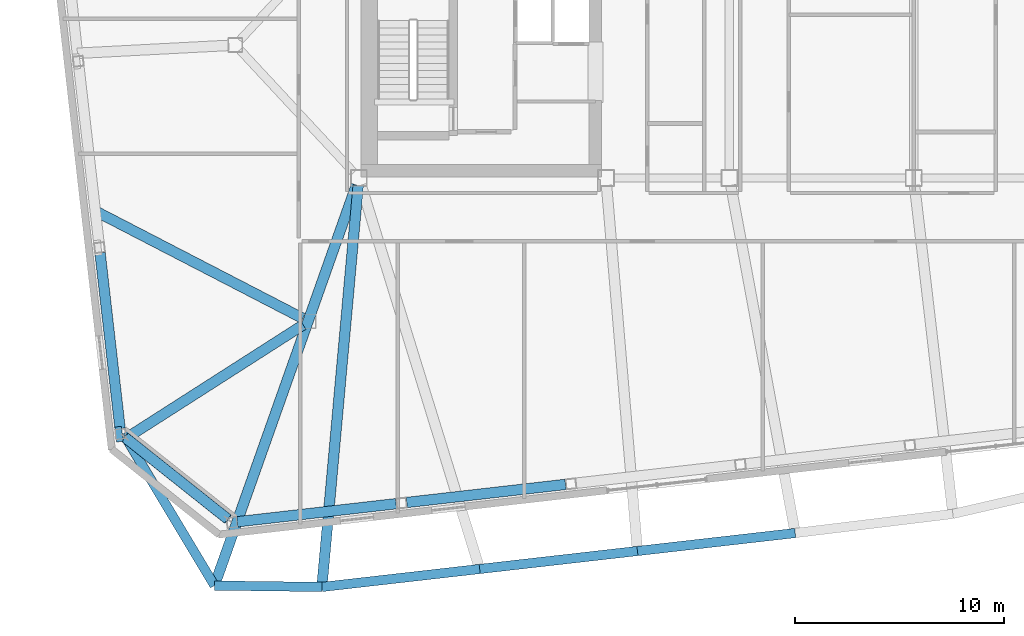
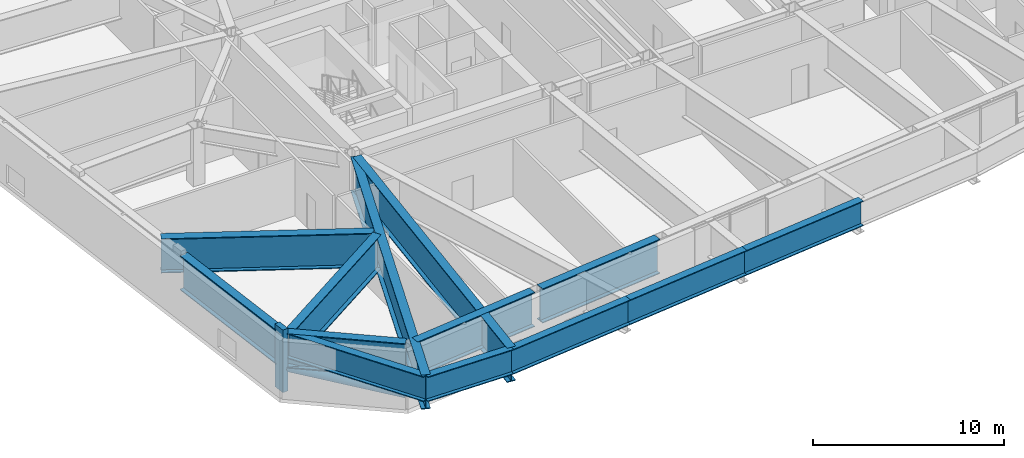
# One storey, part 3 of 18: 13 beams, 2 members.
"""IFC4 building model written with IfcOpenShell, lengths in metres."""

import ifcopenshell
import ifcopenshell.guid

model = None  # the IFC model being written
_history = None  # IfcOwnerHistory: only IFC2X3 demands one
_inside = {}  # id of a spatial element -> (the spatial element, [elements in it])
_under = {}  # id of a project, library or spatial element -> (it, [spatial elements below it])
_declared = {}  # id of a project -> (the project, [libraries it declares])
_typed = {}  # id of a type object -> (the type object, [elements of that type])
_made_of = {}  # id of a material, layer set ... -> (it, [elements and type objects made of it])


def new_model(schema):
    """Start an empty IFC model of exactly this schema.

    Asked for "IFC4X3", IfcOpenShell would pick the latest addendum, in which some entities
    have other attributes; the version numbers below select the first issue.
    IFC2X3 requires an IfcOwnerHistory on every rooted entity: one is made here for all.
    """
    global model, _history
    if schema == "IFC4X3":
        model = ifcopenshell.file(schema_version=(4, 3, 0, 0))
    else:
        model = ifcopenshell.file(schema=schema)
    _inside.clear()
    _under.clear()
    _declared.clear()
    _typed.clear()
    _made_of.clear()
    _history = None
    if model.schema == "IFC2X3":
        org = make("IfcOrganization", Name="unknown")
        user = make(
            "IfcPersonAndOrganization",
            ThePerson=make("IfcPerson", FamilyName="unknown"),
            TheOrganization=org,
        )
        app = make(
            "IfcApplication",
            ApplicationDeveloper=org,
            Version="unknown",
            ApplicationFullName="unknown",
            ApplicationIdentifier="unknown",
        )
        _history = make(
            "IfcOwnerHistory",
            OwningUser=user,
            OwningApplication=app,
            ChangeAction="ADDED",
            CreationDate=0,
        )
    return model


def make(cls, **values):
    """One entity of the class cls with the attributes given. An attribute that is None is left unset."""
    return model.create_entity(
        cls, **{name: value for name, value in values.items() if value is not None}
    )


def rooted(cls, **values):
    """An entity with a GlobalId (a new one), such as an element, a storey or a relation."""
    return make(cls, GlobalId=ifcopenshell.guid.new(), OwnerHistory=_history, **values)


def si_unit(unit_type, name, prefix=None):
    """IfcSIUnit, for example si_unit("LENGTHUNIT", "METRE", prefix="MILLI")."""
    return make("IfcSIUnit", UnitType=unit_type, Prefix=prefix, Name=name)


def assignment(units):
    """IfcUnitAssignment: the units of a project."""
    return None if units is None else make("IfcUnitAssignment", Units=units)


def point(xyz):
    """IfcCartesianPoint."""
    return None if xyz is None else make("IfcCartesianPoint", Coordinates=xyz)


def direction(xyz):
    """IfcDirection."""
    return None if xyz is None else make("IfcDirection", DirectionRatios=xyz)


def frame(location, z_axis=None, x_axis=None):
    """IfcAxis2Placement3D, a coordinate frame: its origin and axes. An axis left out is left unset."""
    return make(
        "IfcAxis2Placement3D",
        Location=point(location),
        Axis=direction(z_axis),
        RefDirection=direction(x_axis),
    )


def frame_2d(location, x_axis=None):
    """IfcAxis2Placement2D, a coordinate frame in the plane: its origin and x axis."""
    return make(
        "IfcAxis2Placement2D", Location=point(location), RefDirection=direction(x_axis)
    )


def origin():
    """The frame at (0, 0, 0) with its axes left unset."""
    return frame((0.0, 0.0, 0.0))


def origin_2d():
    """The frame at (0, 0) in the plane with its x axis left unset."""
    return frame_2d((0.0, 0.0))


def place(relative_to, where):
    """IfcLocalPlacement: puts the frame where relative to a parent placement (None: the world)."""
    return make(
        "IfcLocalPlacement", PlacementRelTo=relative_to, RelativePlacement=where
    )


def context(
    kind, dimensions, precision=None, world=None, true_north=None, identifier=None
):
    """IfcGeometricRepresentationContext, for example the 3D "Model" context."""
    return make(
        "IfcGeometricRepresentationContext",
        ContextIdentifier=identifier,
        ContextType=kind,
        CoordinateSpaceDimension=dimensions,
        Precision=precision,
        WorldCoordinateSystem=world,
        TrueNorth=true_north,
    )


def subcontext(parent, identifier, kind, view, scale=None):
    """IfcGeometricRepresentationSubContext, for example "Body" below "Model"."""
    return make(
        "IfcGeometricRepresentationSubContext",
        ContextIdentifier=identifier,
        ContextType=kind,
        ParentContext=parent,
        TargetScale=scale,
        TargetView=view,
    )


def project(units=None, contexts=None):
    """IfcProject with its units and contexts."""
    return rooted(
        "IfcProject",
        Name="project",
        RepresentationContexts=contexts,
        UnitsInContext=assignment(units),
    )


def spatial(cls, under=None, at=None, **own):
    """A site, building, storey or space (cls), placed at a placement, below another one or the project."""
    s = rooted(cls, ObjectPlacement=at, **own)
    if under is not None:
        _under.setdefault(under.id(), (under, []))[1].append(s)
    return s


def profile(cls, at=None, kind="AREA", **sizes):
    """A parametric profile (cls). Its sizes go by their IFC names, for example OverallWidth=200.0."""
    return make(cls, ProfileType=kind, Position=at, **sizes)


def rectangle(**sizes):
    """IfcRectangleProfileDef."""
    return profile("IfcRectangleProfileDef", **sizes)


def hollow_circle(**sizes):
    """IfcCircleHollowProfileDef."""
    return profile("IfcCircleHollowProfileDef", **sizes)


def i_section(**sizes):
    """IfcIShapeProfileDef."""
    return profile("IfcIShapeProfileDef", **sizes)


def extrude(swept, where, along, depth):
    """IfcExtrudedAreaSolid: the profile swept, set in the frame where, extruded along a direction by depth."""
    return make(
        "IfcExtrudedAreaSolid",
        SweptArea=swept,
        Position=where,
        ExtrudedDirection=direction(along),
        Depth=depth,
    )


def shape(context_of_items, identifier, shape_type, items):
    """IfcShapeRepresentation: the items that make up one representation, for example the "Body"."""
    return make(
        "IfcShapeRepresentation",
        ContextOfItems=context_of_items,
        RepresentationIdentifier=identifier,
        RepresentationType=shape_type,
        Items=items,
    )


def material(Name=None, Category=None):
    """IfcMaterial."""
    return make("IfcMaterial", Name=Name, Category=Category)


def material_profile(
    of_material, cross_section, Name=None, Category=None, Priority=None
):
    """IfcMaterialProfile: a cross section and its material."""
    return make(
        "IfcMaterialProfile",
        Name=Name,
        Material=of_material,
        Profile=cross_section,
        Priority=Priority,
        Category=Category,
    )


def profile_set(profiles, Name=None, composite=None):
    """IfcMaterialProfileSet."""
    return make(
        "IfcMaterialProfileSet",
        Name=Name,
        MaterialProfiles=profiles,
        CompositeProfile=composite,
    )


def made_of(thing, what):
    """Note that an element or type object is made of a material, layer set ...; save() writes the relation."""
    if what is not None:
        _made_of.setdefault(what.id(), (what, []))[1].append(thing)
    return thing


def type_object(cls, material=None, **own):
    """A type object (cls), such as IfcWallType, which elements share."""
    return made_of(rooted(cls, **own), material)


def element(
    cls,
    number,
    at=None,
    inside=None,
    cuts=None,
    type_object=None,
    material=None,
    context=None,
    identifier="Body",
    shape_type=None,
    held_by="IfcProductDefinitionShape",
    body=None,
    shapes=None,
    **own,
):
    """One element of the class cls, such as IfcWall. Its Tag is "e" and its number.

    at: its placement. inside: the storey or other place that contains it. cuts: it is an
    opening in that element (IfcRelVoidsElement). A single representation is given by context,
    identifier, shape_type and body (its items); several are given by shapes. held_by: the class
    of the entity that holds the representations. save() writes the other relations.
    """
    e = rooted(cls, Tag="e%d" % number, ObjectPlacement=at, **own)
    if body is not None:
        shapes = [shape(context, identifier, shape_type, body)]
    if shapes is not None:
        e.Representation = make(held_by, Representations=shapes)
    if inside is not None:
        _inside.setdefault(inside.id(), (inside, []))[1].append(e)
    if cuts is not None:
        rooted(
            "IfcRelVoidsElement", RelatingBuildingElement=cuts, RelatedOpeningElement=e
        )
    if type_object is not None:
        _typed.setdefault(type_object.id(), (type_object, []))[1].append(e)
    return made_of(e, material)


def aggregate(whole, parts):
    """IfcRelAggregates: a whole, such as a stair, and the parts it consists of."""
    return rooted("IfcRelAggregates", RelatingObject=whole, RelatedObjects=parts)


def save(model, path):
    """Write the relations noted so far, then the file.

    IfcRelAggregates (storeys below a building ...), IfcRelContainedInSpatialStructure (elements
    in a storey), IfcRelDefinesByType, IfcRelAssociatesMaterial and IfcRelDeclares: one each for
    every whole, place, type object, material and project.
    """
    for whole, parts in _under.values():
        aggregate(whole, parts)
    for where, things in _inside.values():
        rooted(
            "IfcRelContainedInSpatialStructure",
            RelatedElements=things,
            RelatingStructure=where,
        )
    for kind, things in _typed.values():
        rooted("IfcRelDefinesByType", RelatedObjects=things, RelatingType=kind)
    for what, things in _made_of.values():
        rooted("IfcRelAssociatesMaterial", RelatedObjects=things, RelatingMaterial=what)
    for by, libraries in _declared.values():
        rooted("IfcRelDeclares", RelatingContext=by, RelatedDefinitions=libraries)
    model.write(path)


model = new_model("IFC4")

# Units and contexts
model_context = context("Model", 3, precision=1e-05, world=origin(), true_north=direction((0.0, 1.0)))
body_context = subcontext(model_context, "Body", "Model", "MODEL_VIEW")
ifc_project = project(units=[si_unit("LENGTHUNIT", "METRE"), si_unit("AREAUNIT", "SQUARE_METRE"), si_unit("VOLUMEUNIT", "CUBIC_METRE"), si_unit("PLANEANGLEUNIT", "RADIAN"), si_unit("MASSUNIT", "GRAM", prefix="KILO")], contexts=[model_context])

# Site, building, storey
site_placement = place(None, origin())
site = spatial("IfcSite", under=ifc_project, at=site_placement, CompositionType="ELEMENT")
building_placement = place(site_placement, origin())
building = spatial("IfcBuilding", under=site, at=building_placement, Name="Tavrogorsk Clinical Tower", CompositionType="ELEMENT")
storey_placement = place(building_placement, frame((0.0, 0.0, 267.0)))
storey = spatial("IfcBuildingStorey", under=building, at=storey_placement, Name="L62", CompositionType="ELEMENT", Elevation=267.0)

# Members
ifc_material_1 = material(Name="Structural steel S440", Category="steel")
ifc_material_profile_1 = material_profile(ifc_material_1, hollow_circle(Radius=0.25390625, WallThickness=0.02001953125, at=origin_2d()), Name="CHS-508x20")
ifc_profile_set_1 = profile_set([ifc_material_profile_1], Name="Structural steel S440")
member_type_1 = type_object("IfcMemberType", Name="ExoBrace_CHS508", PredefinedType="BRACE", material=ifc_profile_set_1)
member_1_placement = place(storey_placement, frame((-28.36376953125, -22.64404296875, 0.34228515625), z_axis=(-0.77198895342, 0.614055101257, 0.164223592754), x_axis=(-0.622506788632, -0.782614399374, 0.0)))
element("IfcMember", 1, at=member_1_placement, inside=storey, type_object=member_type_1, Name="L62 Corner Exoskeleton Brace W5-S1", PredefinedType="BRACE", context=body_context, shape_type="SweptSolid", body=[
    extrude(hollow_circle(Radius=0.25390625, WallThickness=0.02001953125, at=origin_2d()), origin(), (0.0, 0.0, 1.0), 6.36572265625),
])
ifc_material_2 = material(Name="Precast concrete B45 with limestone cladding", Category="masonry")
ifc_material_profile_2 = material_profile(ifc_material_2, rectangle(XDim=0.320068359375, YDim=0.719970703125, at=origin_2d()), Name="LIMESTONE-FIN-320x720")
ifc_profile_set_2 = profile_set([ifc_material_profile_2], Name="Precast concrete B45 with limestone cladding")
member_type_2 = type_object("IfcMemberType", Name="LimestonePleatFin_320x720", PredefinedType="USERDEFINED", material=ifc_profile_set_2)
member_2_placement = place(storey_placement, frame((-33.556640625, -18.585693359375, 0.0), z_axis=(0.0, 0.0, 1.0), x_axis=(0.993571855677, 0.113203213768, 0.0)))
element("IfcMember", 2, at=member_2_placement, inside=storey, type_object=member_type_2, Name="L62 W Pleated Stone Fin 4", ObjectType="FIN", PredefinedType="USERDEFINED", context=body_context, shape_type="SweptSolid", body=[
    extrude(rectangle(XDim=0.320068359375, YDim=0.719970703125, at=origin_2d()), origin(), (0.0, 0.0, 1.0), 4.0),
])

# Beams
ifc_material_3 = material(Name="Structural steel S440", Category="steel")
ifc_material_profile_3 = material_profile(ifc_material_3, i_section(OverallWidth=0.449951171875, OverallDepth=1.60009765625, WebThickness=0.031982421875, FlangeThickness=0.050048828125, at=origin_2d()), Name="DK-1600x450x32x50")
ifc_profile_set_3 = profile_set([ifc_material_profile_3], Name="Structural steel S440")
beam_type_1 = type_object("IfcBeamType", Name="TransferGirder_DK1600", PredefinedType="USERDEFINED", material=ifc_profile_set_3)
beam_1_placement = place(storey_placement, frame((-23.866943359375, -25.8857421875, 2.8798828125), z_axis=(0.993572551544, 0.113197106051, 0.0), x_axis=(-0.113197106051, 0.993572551544, 0.0)))
element("IfcBeam", 3, at=beam_1_placement, inside=storey, type_object=beam_type_1, Name="L63 Transfer Edge Girder S1-S2", ObjectType="GIRDER", PredefinedType="USERDEFINED", context=body_context, shape_type="SweptSolid", body=[
    extrude(i_section(OverallWidth=0.449951171875, OverallDepth=1.60009765625, WebThickness=0.031982421875, FlangeThickness=0.050048828125, at=origin_2d()), origin(), (0.0, 0.0, 1.0), 7.58544921875),
])
for number, where, z_axis, x_axis, name in (
    (4, (-16.330322265625, -25.027099609375, 2.8798828125), (0.99357213911, 0.113200726076, 0.0), (-0.113200726076, 0.99357213911, 0.0), "L63 Transfer Edge Girder S2-S3"),
    (5, (-8.7939453125, -24.16845703125, 2.8798828125), (0.99357213911, 0.113200726076, 0.0), (-0.113200726076, 0.99357213911, 0.0), "L63 Transfer Edge Girder S3-S4"),
):
    element("IfcBeam", number, at=place(storey_placement, frame(where, z_axis=z_axis, x_axis=x_axis)), inside=storey, type_object=beam_type_1, Name=name, ObjectType="GIRDER", PredefinedType="USERDEFINED", context=body_context, shape_type="SweptSolid", body=[
        extrude(i_section(OverallWidth=0.449951171875, OverallDepth=1.60009765625, WebThickness=0.031982421875, FlangeThickness=0.050048828125, at=origin_2d()), origin(), (0.0, 0.0, 1.0), 7.585205078125),
    ])
beam_2_placement = place(storey_placement, frame((-33.22119140625, -18.780517578125, 2.8798828125), z_axis=(0.5144520136, -0.857519169292, 0.0), x_axis=(0.857519169292, 0.5144520136, 0.0)))
element("IfcBeam", 6, at=beam_2_placement, inside=storey, type_object=beam_type_1, Name="L63 Transfer Edge Girder W4-W5", ObjectType="GIRDER", PredefinedType="USERDEFINED", context=body_context, shape_type="SweptSolid", body=[
    extrude(i_section(OverallWidth=0.449951171875, OverallDepth=1.60009765625, WebThickness=0.031982421875, FlangeThickness=0.050048828125, at=origin_2d()), origin(), (0.0, 0.0, 1.0), 8.2080078125),
])
beam_3_placement = place(storey_placement, frame((-28.99853515625, -25.819091796875, 2.8798828125), z_axis=(0.999915663368, -0.012987153342, 0.0), x_axis=(0.012987153342, 0.999915663368, 0.0)))
element("IfcBeam", 7, at=beam_3_placement, inside=storey, type_object=beam_type_1, Name="L63 Transfer Edge Girder W5-S1", ObjectType="GIRDER", PredefinedType="USERDEFINED", context=body_context, shape_type="SweptSolid", body=[
    extrude(i_section(OverallWidth=0.449951171875, OverallDepth=1.60009765625, WebThickness=0.031982421875, FlangeThickness=0.050048828125, at=origin_2d()), origin(), (0.0, 0.0, 1.0), 5.132080078125),
])
ifc_material_4 = material(Name="Structural steel S440", Category="steel")
ifc_material_profile_4 = material_profile(ifc_material_4, i_section(OverallWidth=0.5, OverallDepth=2.199951171875, WebThickness=0.035888671875, FlangeThickness=0.054931640625, at=origin_2d()), Name="DK-2200x500x36x55")
ifc_profile_set_4 = profile_set([ifc_material_profile_4], Name="Structural steel S440")
beam_type_2 = type_object("IfcBeamType", Name="TransferGirder_DK2200", PredefinedType="USERDEFINED", material=ifc_profile_set_4)
for number, where, z_axis, x_axis, name in (
    (8, (-27.908447265625, -22.773193359375, 2.580078125), (0.993575697004, 0.113169493787, 0.0), (-0.113169493787, 0.993575697004, 0.0), "L62 Perimeter Spandrel S1-S2"),
    (9, (-19.812255859375, -21.850830078125, 2.580078125), (0.993572099834, 0.113201070804, 0.0), (-0.113201070804, 0.993572099834, 0.0), "L62 Perimeter Spandrel S2-S3"),
):
    element("IfcBeam", number, at=place(storey_placement, frame(where, z_axis=z_axis, x_axis=x_axis)), inside=storey, type_object=beam_type_2, Name=name, ObjectType="GIRDER", PredefinedType="USERDEFINED", context=body_context, shape_type="SweptSolid", body=[
        extrude(i_section(OverallWidth=0.5, OverallDepth=2.199951171875, WebThickness=0.035888671875, FlangeThickness=0.054931640625, at=origin_2d()), origin(), (0.0, 0.0, 1.0), 7.632568359375),
    ])
beam_4_placement = place(storey_placement, frame((-34.46240234375, -9.9306640625, 2.580078125), z_axis=(0.113223671813, -0.993569524563, 0.0), x_axis=(0.993569524563, 0.113223671813, 0.0)))
element("IfcBeam", 10, at=beam_4_placement, inside=storey, type_object=beam_type_2, Name="L62 Perimeter Spandrel W4-W5", ObjectType="GIRDER", PredefinedType="USERDEFINED", context=body_context, shape_type="SweptSolid", body=[
    extrude(i_section(OverallWidth=0.5, OverallDepth=2.199951171875, WebThickness=0.035888671875, FlangeThickness=0.054931640625, at=origin_2d()), origin(), (0.0, 0.0, 1.0), 8.44384765625),
])
beam_5_placement = place(storey_placement, frame((-33.275390625, -18.7373046875, 2.580078125), z_axis=(0.782608811853, -0.622513813188, 0.0), x_axis=(0.622513813188, 0.782608811853, 0.0)))
element("IfcBeam", 11, at=beam_5_placement, inside=storey, type_object=beam_type_2, Name="L62 Perimeter Spandrel W5-S1", ObjectType="GIRDER", PredefinedType="USERDEFINED", context=body_context, shape_type="SweptSolid", body=[
    extrude(i_section(OverallWidth=0.5, OverallDepth=2.199951171875, WebThickness=0.035888671875, FlangeThickness=0.054931640625, at=origin_2d()), origin(), (0.0, 0.0, 1.0), 6.272216796875),
])
beam_6_placement = place(storey_placement, frame((-22.13232421875, -6.70849609375, 2.580078125), z_axis=(-0.090084177856, -0.995934154902, 0.0), x_axis=(0.995934154902, -0.090084177856, 0.0)))
element("IfcBeam", 12, at=beam_6_placement, inside=storey, type_object=beam_type_2, Name="L63 Block Transfer Girder S1", ObjectType="GIRDER", PredefinedType="USERDEFINED", context=body_context, shape_type="SweptSolid", body=[
    extrude(i_section(OverallWidth=0.5, OverallDepth=2.199951171875, WebThickness=0.035888671875, FlangeThickness=0.054931640625, at=origin_2d()), origin(), (0.0, 0.0, 1.0), 19.255615234375),
])
beam_7_placement = place(storey_placement, frame((-24.775390625, -13.0576171875, 2.580078125), z_axis=(-0.888183789456, 0.459488363451, 0.0), x_axis=(-0.459488363451, -0.888183789456, 0.0)))
element("IfcBeam", 13, at=beam_7_placement, inside=storey, type_object=beam_type_2, Name="L63 Block Transfer Girder W3", ObjectType="GIRDER", PredefinedType="USERDEFINED", context=body_context, shape_type="SweptSolid", body=[
    extrude(i_section(OverallWidth=0.5, OverallDepth=2.199951171875, WebThickness=0.035888671875, FlangeThickness=0.054931640625, at=origin_2d()), origin(), (0.0, 0.0, 1.0), 11.163330078125),
])
beam_8_placement = place(storey_placement, frame((-24.76123046875, -13.3671875, 2.580078125), z_axis=(-0.842318633737, -0.538979887621, 0.0), x_axis=(0.538979887621, -0.842318633737, 0.0)))
element("IfcBeam", 14, at=beam_8_placement, inside=storey, type_object=beam_type_2, Name="L63 Block Transfer Girder W4", ObjectType="GIRDER", PredefinedType="USERDEFINED", context=body_context, shape_type="SweptSolid", body=[
    extrude(i_section(OverallWidth=0.5, OverallDepth=2.199951171875, WebThickness=0.035888671875, FlangeThickness=0.054931640625, at=origin_2d()), origin(), (0.0, 0.0, 1.0), 10.043701171875),
])
beam_9_placement = place(storey_placement, frame((-22.22021484375, -6.689208984375, 2.580078125), z_axis=(-0.333985201121, -0.94257831793, 0.0), x_axis=(0.94257831793, -0.333985201121, 0.0)))
element("IfcBeam", 15, at=beam_9_placement, inside=storey, type_object=beam_type_2, Name="L63 Block Transfer Girder W5", ObjectType="GIRDER", PredefinedType="USERDEFINED", context=body_context, shape_type="SweptSolid", body=[
    extrude(i_section(OverallWidth=0.5, OverallDepth=2.199951171875, WebThickness=0.035888671875, FlangeThickness=0.054931640625, at=origin_2d()), origin(), (0.0, 0.0, 1.0), 20.295166015625),
])

save(model, "model.ifc")
